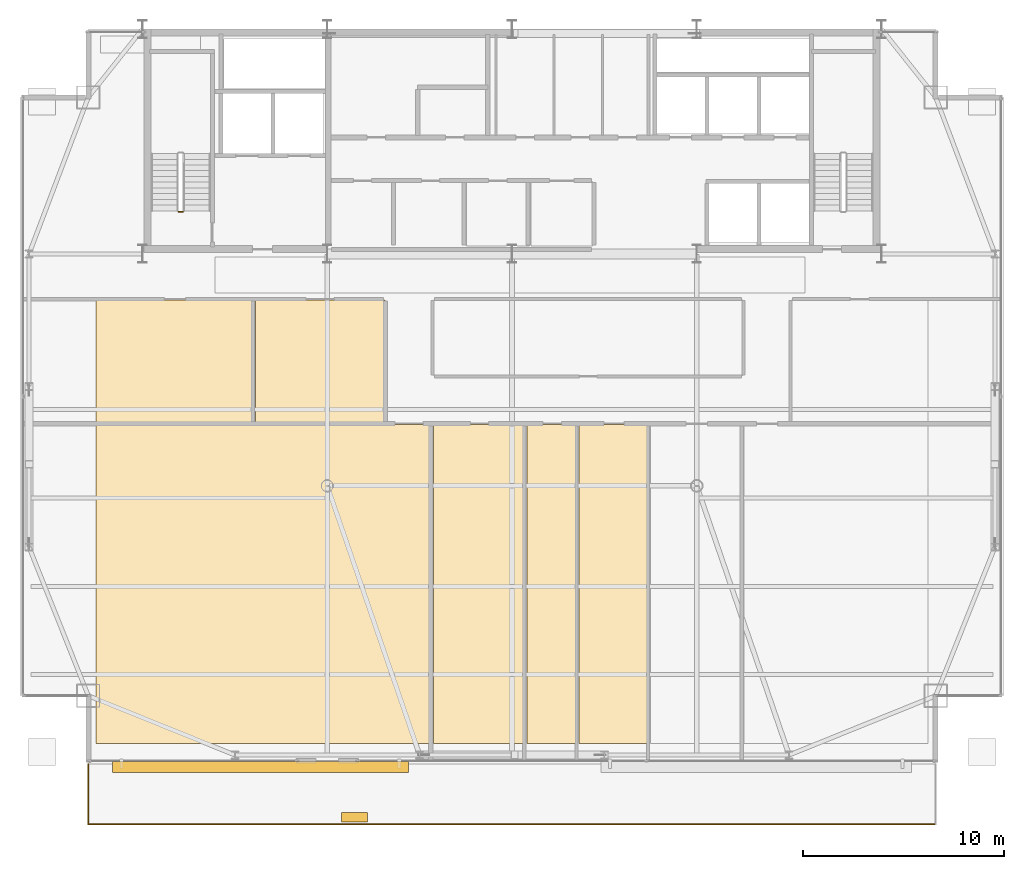
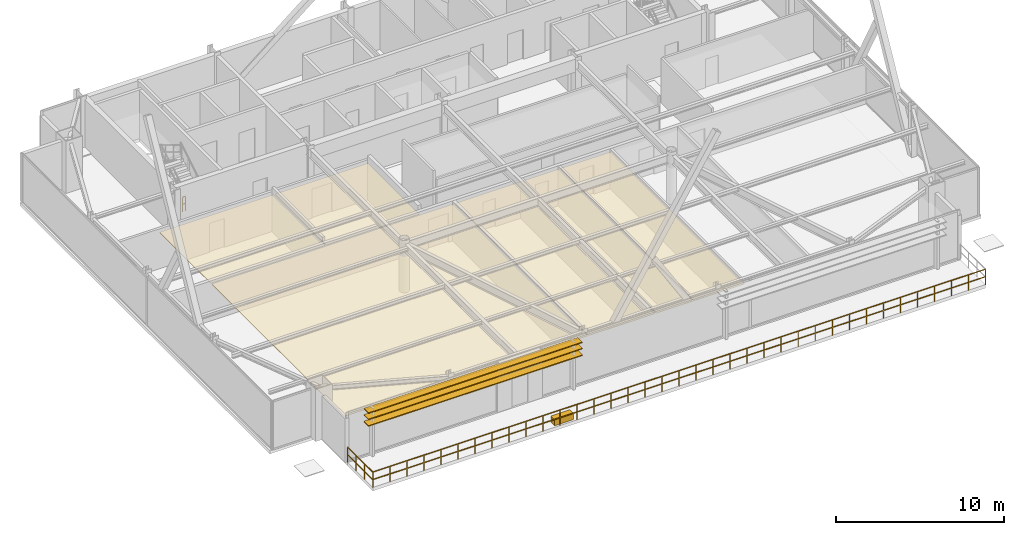
# One storey, part 31 of 33: 7 coverings, 3 railings, 3 shading devices.
"""IFC4 building model written with IfcOpenShell, lengths in metres."""

import ifcopenshell
import ifcopenshell.guid

model = None  # the IFC model being written
_history = None  # IfcOwnerHistory: only IFC2X3 demands one
_inside = {}  # id of a spatial element -> (the spatial element, [elements in it])
_under = {}  # id of a project, library or spatial element -> (it, [spatial elements below it])
_declared = {}  # id of a project -> (the project, [libraries it declares])
_typed = {}  # id of a type object -> (the type object, [elements of that type])
_made_of = {}  # id of a material, layer set ... -> (it, [elements and type objects made of it])


def new_model(schema):
    """Start an empty IFC model of exactly this schema.

    Asked for "IFC4X3", IfcOpenShell would pick the latest addendum, in which some entities
    have other attributes; the version numbers below select the first issue.
    IFC2X3 requires an IfcOwnerHistory on every rooted entity: one is made here for all.
    """
    global model, _history
    if schema == "IFC4X3":
        model = ifcopenshell.file(schema_version=(4, 3, 0, 0))
    else:
        model = ifcopenshell.file(schema=schema)
    _inside.clear()
    _under.clear()
    _declared.clear()
    _typed.clear()
    _made_of.clear()
    _history = None
    if model.schema == "IFC2X3":
        org = make("IfcOrganization", Name="unknown")
        user = make(
            "IfcPersonAndOrganization",
            ThePerson=make("IfcPerson", FamilyName="unknown"),
            TheOrganization=org,
        )
        app = make(
            "IfcApplication",
            ApplicationDeveloper=org,
            Version="unknown",
            ApplicationFullName="unknown",
            ApplicationIdentifier="unknown",
        )
        _history = make(
            "IfcOwnerHistory",
            OwningUser=user,
            OwningApplication=app,
            ChangeAction="ADDED",
            CreationDate=0,
        )
    return model


def make(cls, **values):
    """One entity of the class cls with the attributes given. An attribute that is None is left unset."""
    return model.create_entity(
        cls, **{name: value for name, value in values.items() if value is not None}
    )


def rooted(cls, **values):
    """An entity with a GlobalId (a new one), such as an element, a storey or a relation."""
    return make(cls, GlobalId=ifcopenshell.guid.new(), OwnerHistory=_history, **values)


def si_unit(unit_type, name, prefix=None):
    """IfcSIUnit, for example si_unit("LENGTHUNIT", "METRE", prefix="MILLI")."""
    return make("IfcSIUnit", UnitType=unit_type, Prefix=prefix, Name=name)


def assignment(units):
    """IfcUnitAssignment: the units of a project."""
    return None if units is None else make("IfcUnitAssignment", Units=units)


def point(xyz):
    """IfcCartesianPoint."""
    return None if xyz is None else make("IfcCartesianPoint", Coordinates=xyz)


def direction(xyz):
    """IfcDirection."""
    return None if xyz is None else make("IfcDirection", DirectionRatios=xyz)


def frame(location, z_axis=None, x_axis=None):
    """IfcAxis2Placement3D, a coordinate frame: its origin and axes. An axis left out is left unset."""
    return make(
        "IfcAxis2Placement3D",
        Location=point(location),
        Axis=direction(z_axis),
        RefDirection=direction(x_axis),
    )


def frame_2d(location, x_axis=None):
    """IfcAxis2Placement2D, a coordinate frame in the plane: its origin and x axis."""
    return make(
        "IfcAxis2Placement2D", Location=point(location), RefDirection=direction(x_axis)
    )


def origin():
    """The frame at (0, 0, 0) with its axes left unset."""
    return frame((0.0, 0.0, 0.0))


def origin_2d():
    """The frame at (0, 0) in the plane with its x axis left unset."""
    return frame_2d((0.0, 0.0))


def place(relative_to, where):
    """IfcLocalPlacement: puts the frame where relative to a parent placement (None: the world)."""
    return make(
        "IfcLocalPlacement", PlacementRelTo=relative_to, RelativePlacement=where
    )


def context(
    kind, dimensions, precision=None, world=None, true_north=None, identifier=None
):
    """IfcGeometricRepresentationContext, for example the 3D "Model" context."""
    return make(
        "IfcGeometricRepresentationContext",
        ContextIdentifier=identifier,
        ContextType=kind,
        CoordinateSpaceDimension=dimensions,
        Precision=precision,
        WorldCoordinateSystem=world,
        TrueNorth=true_north,
    )


def subcontext(parent, identifier, kind, view, scale=None):
    """IfcGeometricRepresentationSubContext, for example "Body" below "Model"."""
    return make(
        "IfcGeometricRepresentationSubContext",
        ContextIdentifier=identifier,
        ContextType=kind,
        ParentContext=parent,
        TargetScale=scale,
        TargetView=view,
    )


def project(units=None, contexts=None):
    """IfcProject with its units and contexts."""
    return rooted(
        "IfcProject",
        Name="project",
        RepresentationContexts=contexts,
        UnitsInContext=assignment(units),
    )


def spatial(cls, under=None, at=None, **own):
    """A site, building, storey or space (cls), placed at a placement, below another one or the project."""
    s = rooted(cls, ObjectPlacement=at, **own)
    if under is not None:
        _under.setdefault(under.id(), (under, []))[1].append(s)
    return s


def polyline(points):
    """IfcPolyline through the points."""
    return make("IfcPolyline", Points=[point(p) for p in points])


def profile(cls, at=None, kind="AREA", **sizes):
    """A parametric profile (cls). Its sizes go by their IFC names, for example OverallWidth=200.0."""
    return make(cls, ProfileType=kind, Position=at, **sizes)


def rectangle(**sizes):
    """IfcRectangleProfileDef."""
    return profile("IfcRectangleProfileDef", **sizes)


def outline(outer, holes=None, kind="AREA"):
    """IfcArbitraryClosedProfileDef: a profile drawn as a closed curve; with holes, ...WithVoids."""
    if holes is None:
        return make("IfcArbitraryClosedProfileDef", ProfileType=kind, OuterCurve=outer)
    return make(
        "IfcArbitraryProfileDefWithVoids",
        ProfileType=kind,
        OuterCurve=outer,
        InnerCurves=holes,
    )


def extrude(swept, where, along, depth):
    """IfcExtrudedAreaSolid: the profile swept, set in the frame where, extruded along a direction by depth."""
    return make(
        "IfcExtrudedAreaSolid",
        SweptArea=swept,
        Position=where,
        ExtrudedDirection=direction(along),
        Depth=depth,
    )


def shape(context_of_items, identifier, shape_type, items):
    """IfcShapeRepresentation: the items that make up one representation, for example the "Body"."""
    return make(
        "IfcShapeRepresentation",
        ContextOfItems=context_of_items,
        RepresentationIdentifier=identifier,
        RepresentationType=shape_type,
        Items=items,
    )


def source(mapping_origin, context_of_items, identifier, shape_type, items):
    """IfcRepresentationMap: a shape defined once, which mapped items show again and again."""
    return make(
        "IfcRepresentationMap",
        MappingOrigin=mapping_origin,
        MappedRepresentation=shape(context_of_items, identifier, shape_type, items),
    )


def transform(
    local_origin,
    x_axis=None,
    y_axis=None,
    z_axis=None,
    scale=None,
    scale2=None,
    scale3=None,
    uniform=True,
):
    """IfcCartesianTransformationOperator3D, or its non-uniform kind. x_axis, y_axis, z_axis: its Axis1, 2, 3."""
    if uniform:
        return make(
            "IfcCartesianTransformationOperator3D",
            Axis1=direction(x_axis),
            Axis2=direction(y_axis),
            LocalOrigin=point(local_origin),
            Scale=scale,
            Axis3=direction(z_axis),
        )
    return make(
        "IfcCartesianTransformationOperator3DnonUniform",
        Axis1=direction(x_axis),
        Axis2=direction(y_axis),
        LocalOrigin=point(local_origin),
        Scale=scale,
        Axis3=direction(z_axis),
        Scale2=scale2,
        Scale3=scale3,
    )


def mapped(mapping_source, mapping_target):
    """IfcMappedItem: shows the shape of a source again, moved by a transform."""
    return make(
        "IfcMappedItem", MappingSource=mapping_source, MappingTarget=mapping_target
    )


def material(Name=None, Category=None):
    """IfcMaterial."""
    return make("IfcMaterial", Name=Name, Category=Category)


def layer(
    of_material, thickness, ventilated=None, Name=None, Category=None, Priority=None
):
    """IfcMaterialLayer: one layer of a wall or slab, of a material (None: an air gap)."""
    return make(
        "IfcMaterialLayer",
        Material=of_material,
        LayerThickness=thickness,
        IsVentilated=ventilated,
        Name=Name,
        Category=Category,
        Priority=Priority,
    )


def layer_set(layers, Name=None):
    """IfcMaterialLayerSet."""
    return make("IfcMaterialLayerSet", MaterialLayers=layers, LayerSetName=Name)


def made_of(thing, what):
    """Note that an element or type object is made of a material, layer set ...; save() writes the relation."""
    if what is not None:
        _made_of.setdefault(what.id(), (what, []))[1].append(thing)
    return thing


def type_object(cls, material=None, **own):
    """A type object (cls), such as IfcWallType, which elements share."""
    return made_of(rooted(cls, **own), material)


def type_shapes(of_type, sources):
    """Give a type object the sources (RepresentationMaps) that its elements show as mapped items."""
    of_type.RepresentationMaps = sources


def element(
    cls,
    number,
    at=None,
    inside=None,
    cuts=None,
    type_object=None,
    material=None,
    context=None,
    identifier="Body",
    shape_type=None,
    held_by="IfcProductDefinitionShape",
    body=None,
    shapes=None,
    **own,
):
    """One element of the class cls, such as IfcWall. Its Tag is "e" and its number.

    at: its placement. inside: the storey or other place that contains it. cuts: it is an
    opening in that element (IfcRelVoidsElement). A single representation is given by context,
    identifier, shape_type and body (its items); several are given by shapes. held_by: the class
    of the entity that holds the representations. save() writes the other relations.
    """
    e = rooted(cls, Tag="e%d" % number, ObjectPlacement=at, **own)
    if body is not None:
        shapes = [shape(context, identifier, shape_type, body)]
    if shapes is not None:
        e.Representation = make(held_by, Representations=shapes)
    if inside is not None:
        _inside.setdefault(inside.id(), (inside, []))[1].append(e)
    if cuts is not None:
        rooted(
            "IfcRelVoidsElement", RelatingBuildingElement=cuts, RelatedOpeningElement=e
        )
    if type_object is not None:
        _typed.setdefault(type_object.id(), (type_object, []))[1].append(e)
    return made_of(e, material)


def aggregate(whole, parts):
    """IfcRelAggregates: a whole, such as a stair, and the parts it consists of."""
    return rooted("IfcRelAggregates", RelatingObject=whole, RelatedObjects=parts)


def save(model, path):
    """Write the relations noted so far, then the file.

    IfcRelAggregates (storeys below a building ...), IfcRelContainedInSpatialStructure (elements
    in a storey), IfcRelDefinesByType, IfcRelAssociatesMaterial and IfcRelDeclares: one each for
    every whole, place, type object, material and project.
    """
    for whole, parts in _under.values():
        aggregate(whole, parts)
    for where, things in _inside.values():
        rooted(
            "IfcRelContainedInSpatialStructure",
            RelatedElements=things,
            RelatingStructure=where,
        )
    for kind, things in _typed.values():
        rooted("IfcRelDefinesByType", RelatedObjects=things, RelatingType=kind)
    for what, things in _made_of.values():
        rooted("IfcRelAssociatesMaterial", RelatedObjects=things, RelatingMaterial=what)
    for by, libraries in _declared.values():
        rooted("IfcRelDeclares", RelatingContext=by, RelatedDefinitions=libraries)
    model.write(path)


model = new_model("IFC4")

# Units and contexts
model_context = context("Model", 3, precision=1e-05, world=origin(), true_north=direction((0.0, 1.0)))
body_context = subcontext(model_context, "Body", "Model", "MODEL_VIEW")
ifc_project = project(units=[si_unit("LENGTHUNIT", "METRE"), si_unit("AREAUNIT", "SQUARE_METRE"), si_unit("VOLUMEUNIT", "CUBIC_METRE"), si_unit("PLANEANGLEUNIT", "RADIAN"), si_unit("MASSUNIT", "GRAM", prefix="KILO")], contexts=[model_context])

# Site, building, storey
site_placement = place(None, origin())
site = spatial("IfcSite", under=ifc_project, at=site_placement, CompositionType="ELEMENT")
building_placement = place(site_placement, origin())
building = spatial("IfcBuilding", under=site, at=building_placement, Name="Varnel Quay Broadcast Tower", CompositionType="ELEMENT")
storey_placement = place(building_placement, frame((0.0, 0.0, 199.800048828125)))
storey = spatial("IfcBuildingStorey", under=building, at=storey_placement, Name="L49", CompositionType="ELEMENT", Elevation=199.800048828125)

# Coverings
ifc_material_1 = material(Name="Micro-Perforated Acoustic Ceiling Tile")
ifc_layer_1 = layer(ifc_material_1, 0.0400390625, Name="Micro-Perforated Acoustic Ceiling Tile")
ifc_layer_set_1 = layer_set([ifc_layer_1], Name="Micro-Perforated Acoustic Ceiling Tile")
covering_type_1 = type_object("IfcCoveringType", Name="Cov_AcousticCeiling", PredefinedType="CEILING", material=ifc_layer_set_1)
covering_1_placement = place(storey_placement, frame((0.0, 0.0, 2.579833984375)))
element("IfcCovering", 1, at=covering_1_placement, inside=storey, type_object=covering_type_1, Name="L49 Journalism Training Studio 1 Acoustic Ceiling", PredefinedType="CEILING", context=body_context, shape_type="SweptSolid", body=[
    extrude(outline(polyline([(13.284912109375, 11.22509765625), (30.014892578125, 11.22509765625), (30.014892578125, 27.114990234375), (13.284912109375, 27.114990234375), (13.284912109375, 11.22509765625)])), origin(), (0.0, 0.0, 1.0), 0.0400390625),
])
covering_2_placement = place(storey_placement, frame((0.0, 0.0, 2.579833984375)))
element("IfcCovering", 2, at=covering_2_placement, inside=storey, type_object=covering_type_1, Name="L49 Catering Kitchen 2 Acoustic Ceiling", PredefinedType="CEILING", context=body_context, shape_type="SweptSolid", body=[
    extrude(outline(polyline([(30.0849609375, 11.22509765625), (34.675048828125, 11.22509765625), (34.675048828125, 27.114990234375), (30.0849609375, 27.114990234375), (30.0849609375, 11.22509765625)])), origin(), (0.0, 0.0, 1.0), 0.0400390625),
])
covering_3_placement = place(storey_placement, frame((0.0, 0.0, 2.579833984375)))
element("IfcCovering", 3, at=covering_3_placement, inside=storey, type_object=covering_type_1, Name="L49 Bureau Office 3 Acoustic Ceiling", PredefinedType="CEILING", context=body_context, shape_type="SweptSolid", body=[
    extrude(outline(polyline([(34.7451171875, 11.22509765625), (37.264892578125, 11.22509765625), (37.264892578125, 27.114990234375), (34.7451171875, 27.114990234375), (34.7451171875, 11.22509765625)])), origin(), (0.0, 0.0, 1.0), 0.0400390625),
])
covering_4_placement = place(storey_placement, frame((0.0, 0.0, 2.579833984375)))
element("IfcCovering", 4, at=covering_4_placement, inside=storey, type_object=covering_type_1, Name="L49 Reading Lounge 4 Acoustic Ceiling", PredefinedType="CEILING", context=body_context, shape_type="SweptSolid", body=[
    extrude(outline(polyline([(37.3349609375, 11.22509765625), (40.8349609375, 11.22509765625), (40.8349609375, 27.114990234375), (37.3349609375, 27.114990234375), (37.3349609375, 11.22509765625)])), origin(), (0.0, 0.0, 1.0), 0.0400390625),
])
covering_5_placement = place(storey_placement, frame((0.0, 0.0, 2.579833984375)))
element("IfcCovering", 5, at=covering_5_placement, inside=storey, type_object=covering_type_1, Name="L49 Editorial Huddle Room 7 Acoustic Ceiling", PredefinedType="CEILING", context=body_context, shape_type="SweptSolid", body=[
    extrude(outline(polyline([(13.284912109375, 27.18505859375), (21.155029296875, 27.18505859375), (21.155029296875, 33.31494140625), (13.284912109375, 33.31494140625), (13.284912109375, 27.18505859375)])), origin(), (0.0, 0.0, 1.0), 0.0400390625),
])
covering_6_placement = place(storey_placement, frame((0.0, 0.0, 2.579833984375)))
element("IfcCovering", 6, at=covering_6_placement, inside=storey, type_object=covering_type_1, Name="L49 Journalism Training Studio 8 Acoustic Ceiling", PredefinedType="CEILING", context=body_context, shape_type="SweptSolid", body=[
    extrude(outline(polyline([(21.22509765625, 27.18505859375), (27.6650390625, 27.18505859375), (27.6650390625, 33.31494140625), (21.22509765625, 33.31494140625), (21.22509765625, 27.18505859375)])), origin(), (0.0, 0.0, 1.0), 0.0400390625),
])

# Railings
ifc_material_2 = material(Name="Anodised Bronze Aluminium 6063-T6", Category="aluminium")
railing_type_1 = type_object("IfcRailingType", Name="Rail_Balustrade1150", PredefinedType="BALUSTRADE", material=ifc_material_2)
railing_1_placement = place(storey_placement, frame((12.89990234375, 7.199951171875, 0.0)))
element("IfcRailing", 7, at=railing_1_placement, inside=storey, type_object=railing_type_1, Name="L49 Terrace 1 Guard 1", PredefinedType="BALUSTRADE", context=body_context, shape_type="SweptSolid", body=[
    extrude(rectangle(XDim=0.048095703125, YDim=0.048095703125, at=origin_2d()), frame((0.0, 0.0, 1.1259765625), z_axis=(1.0, 0.0, 0.0), x_axis=(0.0, 1.0, 0.0)), (0.0, 0.0, 1.0), 42.2001953125),
    extrude(rectangle(XDim=0.048095703125, YDim=0.048095703125, at=origin_2d()), frame((0.0, 0.0, 0.574951171875), z_axis=(1.0, 0.0, 0.0), x_axis=(0.0, 1.0, 0.0)), (0.0, 0.0, 1.0), 42.2001953125),
    extrude(rectangle(XDim=0.0419921875, YDim=0.0419921875, at=origin_2d()), origin(), (0.0, 0.0, 1.0), 1.101806640625),
    extrude(rectangle(XDim=0.0419921875, YDim=0.0419921875, at=origin_2d()), frame((1.172119140625, 0.0, 0.0)), (0.0, 0.0, 1.0), 1.101806640625),
    extrude(rectangle(XDim=0.0419921875, YDim=0.0419921875, at=origin_2d()), frame((2.344482421875, 0.0, 0.0)), (0.0, 0.0, 1.0), 1.101806640625),
    extrude(rectangle(XDim=0.0419921875, YDim=0.0419921875, at=origin_2d()), frame((3.5166015625, 0.0, 0.0)), (0.0, 0.0, 1.0), 1.101806640625),
    extrude(rectangle(XDim=0.0419921875, YDim=0.0419921875, at=origin_2d()), frame((4.68896484375, 0.0, 0.0)), (0.0, 0.0, 1.0), 1.101806640625),
    extrude(rectangle(XDim=0.0419921875, YDim=0.0419921875, at=origin_2d()), frame((5.861083984375, 0.0, 0.0)), (0.0, 0.0, 1.0), 1.101806640625),
    extrude(rectangle(XDim=0.0419921875, YDim=0.0419921875, at=origin_2d()), frame((7.033447265625, 0.0, 0.0)), (0.0, 0.0, 1.0), 1.101806640625),
    extrude(rectangle(XDim=0.0419921875, YDim=0.0419921875, at=origin_2d()), frame((8.20556640625, 0.0, 0.0)), (0.0, 0.0, 1.0), 1.101806640625),
    extrude(rectangle(XDim=0.0419921875, YDim=0.0419921875, at=origin_2d()), frame((9.3779296875, 0.0, 0.0)), (0.0, 0.0, 1.0), 1.101806640625),
    extrude(rectangle(XDim=0.0419921875, YDim=0.0419921875, at=origin_2d()), frame((10.550048828125, 0.0, 0.0)), (0.0, 0.0, 1.0), 1.101806640625),
    extrude(rectangle(XDim=0.0419921875, YDim=0.0419921875, at=origin_2d()), frame((11.72216796875, 0.0, 0.0)), (0.0, 0.0, 1.0), 1.101806640625),
    extrude(rectangle(XDim=0.0419921875, YDim=0.0419921875, at=origin_2d()), frame((12.89453125, 0.0, 0.0)), (0.0, 0.0, 1.0), 1.101806640625),
    extrude(rectangle(XDim=0.0419921875, YDim=0.0419921875, at=origin_2d()), frame((14.066650390625, 0.0, 0.0)), (0.0, 0.0, 1.0), 1.101806640625),
    extrude(rectangle(XDim=0.0419921875, YDim=0.0419921875, at=origin_2d()), frame((15.239013671875, 0.0, 0.0)), (0.0, 0.0, 1.0), 1.101806640625),
    extrude(rectangle(XDim=0.0419921875, YDim=0.0419921875, at=origin_2d()), frame((16.4111328125, 0.0, 0.0)), (0.0, 0.0, 1.0), 1.101806640625),
    extrude(rectangle(XDim=0.0419921875, YDim=0.0419921875, at=origin_2d()), frame((17.58349609375, 0.0, 0.0)), (0.0, 0.0, 1.0), 1.101806640625),
    extrude(rectangle(XDim=0.0419921875, YDim=0.0419921875, at=origin_2d()), frame((18.755615234375, 0.0, 0.0)), (0.0, 0.0, 1.0), 1.101806640625),
    extrude(rectangle(XDim=0.0419921875, YDim=0.0419921875, at=origin_2d()), frame((19.927978515625, 0.0, 0.0)), (0.0, 0.0, 1.0), 1.101806640625),
    extrude(rectangle(XDim=0.0419921875, YDim=0.0419921875, at=origin_2d()), frame((21.10009765625, 0.0, 0.0)), (0.0, 0.0, 1.0), 1.101806640625),
    extrude(rectangle(XDim=0.0419921875, YDim=0.0419921875, at=origin_2d()), frame((22.272216796875, 0.0, 0.0)), (0.0, 0.0, 1.0), 1.101806640625),
    extrude(rectangle(XDim=0.0419921875, YDim=0.0419921875, at=origin_2d()), frame((23.444580078125, 0.0, 0.0)), (0.0, 0.0, 1.0), 1.101806640625),
    extrude(rectangle(XDim=0.0419921875, YDim=0.0419921875, at=origin_2d()), frame((24.61669921875, 0.0, 0.0)), (0.0, 0.0, 1.0), 1.101806640625),
    extrude(rectangle(XDim=0.0419921875, YDim=0.0419921875, at=origin_2d()), frame((25.7890625, 0.0, 0.0)), (0.0, 0.0, 1.0), 1.101806640625),
    extrude(rectangle(XDim=0.0419921875, YDim=0.0419921875, at=origin_2d()), frame((26.961181640625, 0.0, 0.0)), (0.0, 0.0, 1.0), 1.101806640625),
    extrude(rectangle(XDim=0.0419921875, YDim=0.0419921875, at=origin_2d()), frame((28.133544921875, 0.0, 0.0)), (0.0, 0.0, 1.0), 1.101806640625),
    extrude(rectangle(XDim=0.0419921875, YDim=0.0419921875, at=origin_2d()), frame((29.3056640625, 0.0, 0.0)), (0.0, 0.0, 1.0), 1.101806640625),
    extrude(rectangle(XDim=0.0419921875, YDim=0.0419921875, at=origin_2d()), frame((30.47802734375, 0.0, 0.0)), (0.0, 0.0, 1.0), 1.101806640625),
    extrude(rectangle(XDim=0.0419921875, YDim=0.0419921875, at=origin_2d()), frame((31.650146484375, 0.0, 0.0)), (0.0, 0.0, 1.0), 1.101806640625),
    extrude(rectangle(XDim=0.0419921875, YDim=0.0419921875, at=origin_2d()), frame((32.822265625, 0.0, 0.0)), (0.0, 0.0, 1.0), 1.101806640625),
    extrude(rectangle(XDim=0.0419921875, YDim=0.0419921875, at=origin_2d()), frame((33.99462890625, 0.0, 0.0)), (0.0, 0.0, 1.0), 1.101806640625),
    extrude(rectangle(XDim=0.0419921875, YDim=0.0419921875, at=origin_2d()), frame((35.166748046875, 0.0, 0.0)), (0.0, 0.0, 1.0), 1.101806640625),
    extrude(rectangle(XDim=0.0419921875, YDim=0.0419921875, at=origin_2d()), frame((36.339111328125, 0.0, 0.0)), (0.0, 0.0, 1.0), 1.101806640625),
    extrude(rectangle(XDim=0.0419921875, YDim=0.0419921875, at=origin_2d()), frame((37.51123046875, 0.0, 0.0)), (0.0, 0.0, 1.0), 1.101806640625),
    extrude(rectangle(XDim=0.0419921875, YDim=0.0419921875, at=origin_2d()), frame((38.68359375, 0.0, 0.0)), (0.0, 0.0, 1.0), 1.101806640625),
    extrude(rectangle(XDim=0.0419921875, YDim=0.0419921875, at=origin_2d()), frame((39.855712890625, 0.0, 0.0)), (0.0, 0.0, 1.0), 1.101806640625),
    extrude(rectangle(XDim=0.0419921875, YDim=0.0419921875, at=origin_2d()), frame((41.028076171875, 0.0, 0.0)), (0.0, 0.0, 1.0), 1.101806640625),
    extrude(rectangle(XDim=0.0419921875, YDim=0.0419921875, at=origin_2d()), frame((42.2001953125, 0.0, 0.0)), (0.0, 0.0, 1.0), 1.101806640625),
])
railing_2_placement = place(storey_placement, frame((12.89990234375, 10.199951171875, 0.0)))
element("IfcRailing", 8, at=railing_2_placement, inside=storey, type_object=railing_type_1, Name="L49 Terrace 1 Guard 4", PredefinedType="BALUSTRADE", context=body_context, shape_type="SweptSolid", body=[
    extrude(rectangle(XDim=0.048095703125, YDim=0.048095703125, at=origin_2d()), frame((0.0, 0.0, 1.1259765625), z_axis=(0.0, -1.0, 0.0), x_axis=(1.0, 0.0, 0.0)), (0.0, 0.0, 1.0), 3.0),
    extrude(rectangle(XDim=0.048095703125, YDim=0.048095703125, at=origin_2d()), frame((0.0, 0.0, 0.574951171875), z_axis=(0.0, -1.0, 0.0), x_axis=(1.0, 0.0, 0.0)), (0.0, 0.0, 1.0), 3.0),
    extrude(rectangle(XDim=0.0419921875, YDim=0.0419921875, at=origin_2d()), origin(), (0.0, 0.0, 1.0), 1.101806640625),
    extrude(rectangle(XDim=0.0419921875, YDim=0.0419921875, at=origin_2d()), frame((0.0, -1.0, 0.0)), (0.0, 0.0, 1.0), 1.101806640625),
    extrude(rectangle(XDim=0.0419921875, YDim=0.0419921875, at=origin_2d()), frame((0.0, -2.0, 0.0)), (0.0, 0.0, 1.0), 1.101806640625),
    extrude(rectangle(XDim=0.0419921875, YDim=0.0419921875, at=origin_2d()), frame((0.0, -3.0, 0.0)), (0.0, 0.0, 1.0), 1.101806640625),
])
ifc_material_3 = material(Name="Painted Steel Guard and Handrail CSA G40.21 350W", Category="steel")
railing_type_2 = type_object("IfcRailingType", Name="Rail_StairGuard1100", PredefinedType="GUARDRAIL", material=ifc_material_3)
railing_3_placement = place(storey_placement, frame((17.60009765625, 37.699951171875, 0.0)))
element("IfcRailing", 9, at=railing_3_placement, inside=storey, type_object=railing_type_2, Name="L49 ST-01 stair guard 4", PredefinedType="GUARDRAIL", context=body_context, shape_type="SweptSolid", body=[
    extrude(rectangle(XDim=0.048095703125, YDim=0.048095703125, at=origin_2d()), frame((0.0, 0.0, 1.076171875), z_axis=(-1.0, 0.0, 0.0), x_axis=(0.0, -1.0, 0.0)), (0.0, 0.0, 1.0), 0.2001953125),
    extrude(rectangle(XDim=0.048095703125, YDim=0.048095703125, at=origin_2d()), frame((0.0, 0.0, 0.550048828125), z_axis=(-1.0, 0.0, 0.0), x_axis=(0.0, -1.0, 0.0)), (0.0, 0.0, 1.0), 0.2001953125),
    extrude(rectangle(XDim=0.0419921875, YDim=0.0419921875, at=origin_2d()), origin(), (0.0, 0.0, 1.0), 1.052001953125),
    extrude(rectangle(XDim=0.0419921875, YDim=0.0419921875, at=origin_2d()), frame((-0.2001953125, 0.0, 0.0)), (0.0, 0.0, 1.0), 1.052001953125),
])

# Covering
ifc_material_4 = material(Name="Bronze-Terracotta Extruded Ceramic Blade", Category="masonry")
ifc_layer_2 = layer(ifc_material_4, 0.449951171875, Name="Bronze-Terracotta Extruded Ceramic Blade")
ifc_layer_set_2 = layer_set([ifc_layer_2], Name="Bronze-Terracotta Extruded Ceramic Blade")
covering_type_2 = type_object("IfcCoveringType", Name="Cov_BronzePlanter", PredefinedType="CLADDING", material=ifc_layer_set_2)
shared_shape_1 = source(origin(), body_context, "Body", "SweptSolid", [
    extrude(rectangle(XDim=1.300048828125, YDim=0.449951171875, at=origin_2d()), origin(), (0.0, 0.0, 1.0), 0.449951171875),
])
type_shapes(covering_type_2, [shared_shape_1])
covering_7_placement = place(storey_placement, frame((26.14990234375, 7.550048828125, 0.0), z_axis=(0.0, 0.0, 1.0), x_axis=(1.0, 0.0, 0.0)))
element("IfcCovering", 10, at=covering_7_placement, inside=storey, type_object=covering_type_2, Name="L49 Terrace 1 Bronze Planter", PredefinedType="CLADDING", context=body_context, shape_type="MappedRepresentation", body=[
    mapped(shared_shape_1, transform((0.0, 0.0, 0.0), x_axis=(1.0, 0.0, 0.0), y_axis=(0.0, 1.0, 0.0), z_axis=(0.0, 0.0, 1.0), scale=1.0)),
])

# Shading devices
ifc_layer_3 = layer(ifc_material_4, 0.06494140625, Name="Bronze-Terracotta Extruded Ceramic Blade")
ifc_layer_set_3 = layer_set([ifc_layer_3], Name="Bronze-Terracotta Extruded Ceramic Blade")
shading_device_type = type_object("IfcShadingDeviceType", Name="Shade_LouvreBlade550", PredefinedType="JALOUSIE", material=ifc_layer_set_3)
shared_shape_2 = source(origin(), body_context, "Body", "SweptSolid", [
    extrude(rectangle(XDim=14.73388671875, YDim=0.550048828125, at=origin_2d()), origin(), (0.0, 0.0, 1.0), 0.06494140625),
])
type_shapes(shading_device_type, [shared_shape_2])
for number, where, z_axis, x_axis, name in (
    (11, (21.467041015625, 10.06005859375, 2.447509765625), (0.0, 0.0, 1.0), (1.0, 0.0, 0.0), "L49 Lobe 1 Horizontal Louvre Blade 1"),
    (12, (21.467041015625, 10.06005859375, 2.927490234375), (0.0, 0.0, 1.0), (1.0, 0.0, 0.0), "L49 Lobe 1 Horizontal Louvre Blade 2"),
    (13, (21.467041015625, 10.06005859375, 3.387451171875), (0.0, 0.0, 1.0), (1.0, 0.0, 0.0), "L49 Lobe 1 Horizontal Louvre Blade 3"),
):
    element("IfcShadingDevice", number, at=place(storey_placement, frame(where, z_axis=z_axis, x_axis=x_axis)), inside=storey, type_object=shading_device_type, Name=name, PredefinedType="JALOUSIE", context=body_context, shape_type="MappedRepresentation", body=[
        mapped(shared_shape_2, transform((0.0, 0.0, 0.0), x_axis=(1.0, 0.0, 0.0), y_axis=(0.0, 1.0, 0.0), z_axis=(0.0, 0.0, 1.0), scale=1.0)),
    ])

save(model, "model.ifc")
